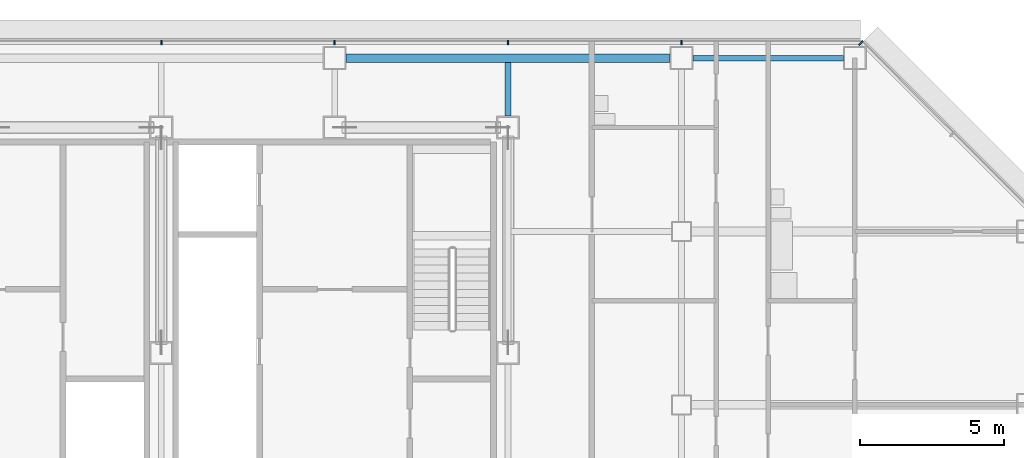
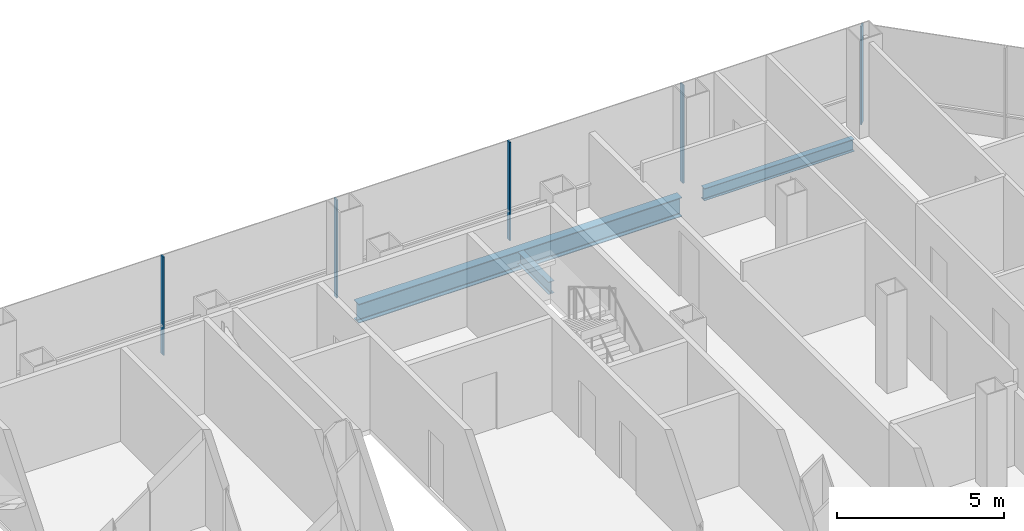
# One storey, part 14 of 25: 5 members, 3 beams, 2 elements without a shape of their own.
"""IFC4 building model written with IfcOpenShell, lengths in metres."""

from ifc_helpers import new_model, si_unit, direction, frame, origin, origin_2d, place, context, subcontext, project, spatial, rectangle, i_section, extrude, material, material_profile, profile_set, type_object, element, aggregate, save


model = new_model("IFC4")

# Units and contexts
model_context = context("Model", 3, precision=1e-05, world=origin(), true_north=direction((0.0, 1.0)))
body_context = subcontext(model_context, "Body", "Model", "MODEL_VIEW")
ifc_project = project(units=[si_unit("LENGTHUNIT", "METRE"), si_unit("AREAUNIT", "SQUARE_METRE"), si_unit("VOLUMEUNIT", "CUBIC_METRE"), si_unit("PLANEANGLEUNIT", "RADIAN"), si_unit("MASSUNIT", "GRAM", prefix="KILO")], contexts=[model_context])

# Site, building, storey
site_placement = place(None, origin())
site = spatial("IfcSite", under=ifc_project, at=site_placement, CompositionType="ELEMENT")
building_placement = place(site_placement, origin())
building = spatial("IfcBuilding", under=site, at=building_placement, Name="Sorahane Residences", CompositionType="ELEMENT")
storey_placement = place(building_placement, frame((0.0, 0.0, 143.800048828125)))
storey = spatial("IfcBuildingStorey", under=building, at=storey_placement, Name="L32", CompositionType="ELEMENT", Elevation=143.800048828125)

# Curtain wall, members
ifc_material_1 = material(Name="Dark low-e glass and black anodised aluminium", Category="aluminium")
curtain_wall_type_1 = type_object("IfcCurtainWallType", Name="Curtain wall CW-1 Typical unitised wall", PredefinedType="NOTDEFINED", material=ifc_material_1)
curtain_wall_1_placement = place(storey_placement, origin())
curtain_wall_1 = element("IfcCurtainWall", 1, at=curtain_wall_1_placement, inside=storey, type_object=curtain_wall_type_1, Name="CW-1 curtain wall L32 N1", PredefinedType="NOTDEFINED")
ifc_material_2 = material(Name="Black anodised aluminium", Category="aluminium")
ifc_material_profile_1 = material_profile(ifc_material_2, rectangle(XDim=0.159912109375, YDim=0.050048828125, at=origin_2d()), Name="Curtain wall mullion CW-1 black anodised aluminium 50x160")
ifc_profile_set_1 = profile_set([ifc_material_profile_1], Name="Black anodised aluminium")
member_type_1 = type_object("IfcMemberType", Name="Curtain wall mullion CW-1 black anodised aluminium 50x160", PredefinedType="MULLION", material=ifc_profile_set_1)
member_1_placement = place(storey_placement, frame((48.0, 48.5400390625, -0.179931640625), z_axis=(0.0, 0.0, 1.0), x_axis=(0.0, 1.0, 0.0)))
member_1 = element("IfcMember", 2, at=member_1_placement, type_object=member_type_1, Name="CW-1 mullion L32 N1.2", PredefinedType="MULLION", context=body_context, shape_type="SweptSolid", body=[
    extrude(rectangle(XDim=0.159912109375, YDim=0.050048828125, at=origin_2d()), origin(), (0.0, 0.0, 1.0), 3.599853515625),
])
member_2_placement = place(storey_placement, frame((42.0, 48.5400390625, -0.179931640625), z_axis=(0.0, 0.0, 1.0), x_axis=(0.0, 1.0, 0.0)))
member_2 = element("IfcMember", 3, at=member_2_placement, type_object=member_type_1, Name="CW-1 mullion L32 N1.3", PredefinedType="MULLION", context=body_context, shape_type="SweptSolid", body=[
    extrude(rectangle(XDim=0.159912109375, YDim=0.050048828125, at=origin_2d()), origin(), (0.0, 0.0, 1.0), 3.599853515625),
])
member_3_placement = place(storey_placement, frame((36.0, 48.5400390625, -0.179931640625), z_axis=(0.0, 0.0, 1.0), x_axis=(0.0, 1.0, 0.0)))
member_3 = element("IfcMember", 4, at=member_3_placement, type_object=member_type_1, Name="CW-1 mullion L32 N1.4", PredefinedType="MULLION", context=body_context, shape_type="SweptSolid", body=[
    extrude(rectangle(XDim=0.159912109375, YDim=0.050048828125, at=origin_2d()), origin(), (0.0, 0.0, 1.0), 3.599853515625),
])
member_4_placement = place(storey_placement, frame((30.0, 48.5400390625, -0.179931640625), z_axis=(0.0, 0.0, 1.0), x_axis=(0.0, 1.0, 0.0)))
member_4 = element("IfcMember", 5, at=member_4_placement, type_object=member_type_1, Name="CW-1 mullion L32 N1.5", PredefinedType="MULLION", context=body_context, shape_type="SweptSolid", body=[
    extrude(rectangle(XDim=0.159912109375, YDim=0.050048828125, at=origin_2d()), origin(), (0.0, 0.0, 1.0), 3.599853515625),
])
aggregate(curtain_wall_1, [member_1, member_2, member_3, member_4])

# Curtain wall, member
ifc_material_3 = material(Name="Dark low-e glass and black anodised aluminium", Category="aluminium")
curtain_wall_type_2 = type_object("IfcCurtainWallType", Name="Curtain wall CW-2 Chamfer unitised wall", PredefinedType="NOTDEFINED", material=ifc_material_3)
curtain_wall_2_placement = place(storey_placement, origin())
curtain_wall_2 = element("IfcCurtainWall", 6, at=curtain_wall_2_placement, inside=storey, type_object=curtain_wall_type_2, Name="CW-2 curtain wall L32 NE1", PredefinedType="NOTDEFINED")
ifc_material_4 = material(Name="Black anodised aluminium", Category="aluminium")
ifc_material_profile_2 = material_profile(ifc_material_4, rectangle(XDim=0.199951171875, YDim=0.050048828125, at=origin_2d()), Name="Curtain wall mullion CW-2 black anodised aluminium 50x200")
ifc_profile_set_2 = profile_set([ifc_material_profile_2], Name="Black anodised aluminium")
member_type_2 = type_object("IfcMemberType", Name="Curtain wall mullion CW-2 black anodised aluminium 50x200", PredefinedType="MULLION", material=ifc_profile_set_2)
member_5_placement = place(storey_placement, frame((54.209716796875, 48.525634765625, -0.179931640625), z_axis=(0.0, 0.0, 1.0), x_axis=(0.707106781187, 0.707106781187, 0.0)))
member_5 = element("IfcMember", 7, at=member_5_placement, type_object=member_type_2, Name="CW-2 mullion L32 NE1.3", PredefinedType="MULLION", context=body_context, shape_type="SweptSolid", body=[
    extrude(rectangle(XDim=0.199951171875, YDim=0.050048828125, at=origin_2d()), origin(), (0.0, 0.0, 1.0), 3.599853515625),
])
aggregate(curtain_wall_2, [member_5])

# Beams
ifc_material_5 = material(Name="Steel Q355B", Category="steel")
ifc_material_profile_3 = material_profile(ifc_material_5, i_section(OverallWidth=0.199951171875, OverallDepth=0.449951171875, WebThickness=0.009033203125, FlangeThickness=0.013916015625, FilletRadius=0.02001953125, at=origin_2d()), Name="HN 450x200x9x14")
ifc_profile_set_3 = profile_set([ifc_material_profile_3], Name="Steel Q355B")
beam_type_1 = type_object("IfcBeamType", Name="Steel floor beam HN 450x200x9x14 Q355B", PredefinedType="BEAM", material=ifc_profile_set_3)
beam_1_placement = place(storey_placement, frame((48.39990234375, 48.0, -0.405029296875), z_axis=(1.0, 0.0, 0.0), x_axis=(0.0, 1.0, 0.0)))
element("IfcBeam", 8, at=beam_1_placement, inside=storey, type_object=beam_type_1, Name="Beam L32 019", PredefinedType="BEAM", context=body_context, shape_type="SweptSolid", body=[
    extrude(i_section(OverallWidth=0.199951171875, OverallDepth=0.449951171875, WebThickness=0.009033203125, FlangeThickness=0.013916015625, FilletRadius=0.02001953125, at=origin_2d()), origin(), (0.0, 0.0, 1.0), 5.2001953125),
])
beam_2_placement = place(storey_placement, frame((42.0, 46.0, -0.405029296875), z_axis=(0.0, 1.0, 0.0), x_axis=(-1.0, 0.0, 0.0)))
element("IfcBeam", 9, at=beam_2_placement, inside=storey, type_object=beam_type_1, Name="Beam L32 057", PredefinedType="BEAM", context=body_context, shape_type="SweptSolid", body=[
    extrude(i_section(OverallWidth=0.199951171875, OverallDepth=0.449951171875, WebThickness=0.009033203125, FlangeThickness=0.013916015625, FilletRadius=0.02001953125, at=origin_2d()), origin(), (0.0, 0.0, 1.0), 1.85009765625),
])
ifc_material_6 = material(Name="Steel Q355B", Category="steel")
ifc_material_profile_4 = material_profile(ifc_material_6, i_section(OverallWidth=0.300048828125, OverallDepth=0.699951171875, WebThickness=0.012939453125, FlangeThickness=0.02392578125, FilletRadius=0.028076171875, at=origin_2d()), Name="HN 700x300x13x24")
ifc_profile_set_4 = profile_set([ifc_material_profile_4], Name="Steel Q355B")
beam_type_2 = type_object("IfcBeamType", Name="Steel floor beam HN 700x300x13x24 Q355B", PredefinedType="BEAM", material=ifc_profile_set_4)
beam_3_placement = place(storey_placement, frame((36.39990234375, 48.0, -0.530029296875), z_axis=(1.0, 0.0, 0.0), x_axis=(0.0, 1.0, 0.0)))
element("IfcBeam", 10, at=beam_3_placement, inside=storey, type_object=beam_type_2, Name="Beam L32 018", PredefinedType="BEAM", context=body_context, shape_type="SweptSolid", body=[
    extrude(i_section(OverallWidth=0.300048828125, OverallDepth=0.699951171875, WebThickness=0.012939453125, FlangeThickness=0.02392578125, FilletRadius=0.028076171875, at=origin_2d()), origin(), (0.0, 0.0, 1.0), 11.2001953125),
])

save(model, "model.ifc")
